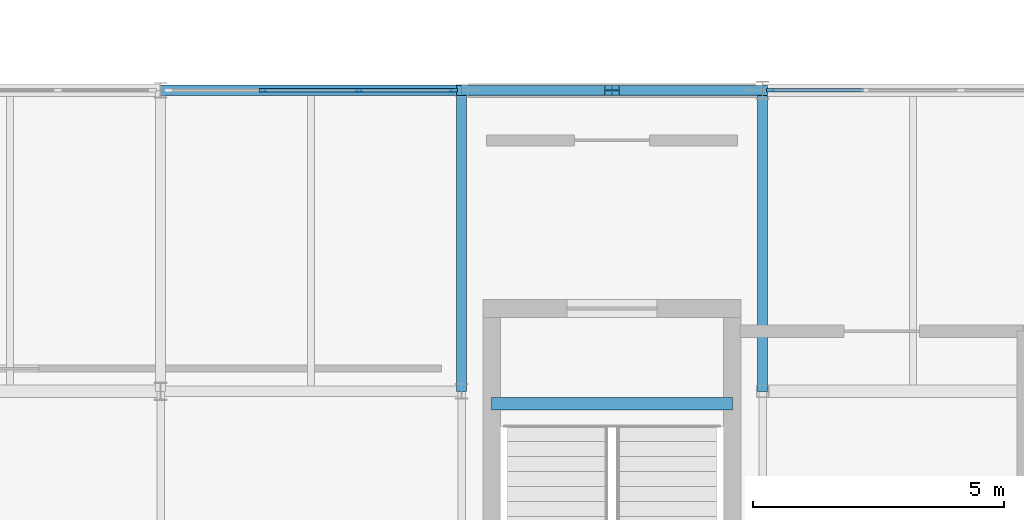
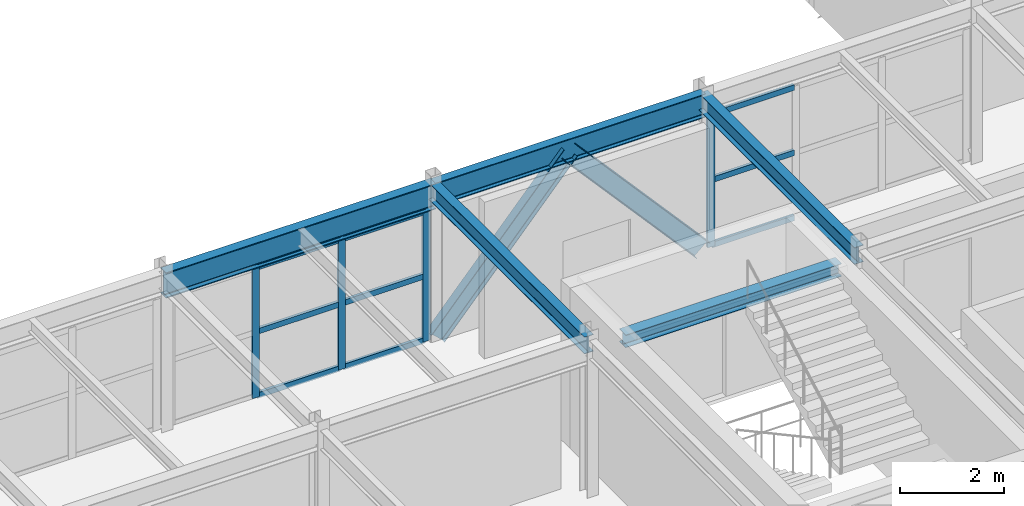
# One storey, part 17 of 63: 15 members, 5 beams, 2 elements without a shape of their own.
"""IFC4 building model written with IfcOpenShell, lengths in metres."""

from ifc_helpers import new_model, si_unit, direction, frame, origin, origin_2d, place, context, subcontext, project, spatial, rectangle, i_section, extrude, material, material_profile, profile_set, type_object, element, aggregate, save


model = new_model("IFC4")

# Units and contexts
model_context = context("Model", 3, precision=1e-05, world=origin(), true_north=direction((0.0, 1.0)))
body_context = subcontext(model_context, "Body", "Model", "MODEL_VIEW")
ifc_project = project(units=[si_unit("LENGTHUNIT", "METRE"), si_unit("AREAUNIT", "SQUARE_METRE"), si_unit("VOLUMEUNIT", "CUBIC_METRE"), si_unit("PLANEANGLEUNIT", "RADIAN"), si_unit("MASSUNIT", "GRAM", prefix="KILO")], contexts=[model_context])

# Site, building, storey
site_placement = place(None, origin())
site = spatial("IfcSite", under=ifc_project, at=site_placement, CompositionType="ELEMENT")
building_placement = place(site_placement, origin())
building = spatial("IfcBuilding", under=site, at=building_placement, Name="Varnakota Square Police Headquarters", CompositionType="ELEMENT")
storey_placement = place(building_placement, frame((0.0, 0.0, 22.199951171875)))
storey = spatial("IfcBuildingStorey", under=building, at=storey_placement, Name="L05", CompositionType="ELEMENT", Elevation=22.199951171875)

# Beams
ifc_material_1 = material(Name="Steel IS 2062 Grade 350", Category="steel")
ifc_material_profile_1 = material_profile(ifc_material_1, i_section(OverallWidth=0.25, OverallDepth=0.300048828125, WebThickness=0.009521484375, FlangeThickness=0.010498046875, FilletRadius=0.011962890625, at=origin_2d()), Name="ISHB 300")
ifc_profile_set_1 = profile_set([ifc_material_profile_1], Name="Steel IS 2062 Grade 350")
beam_type_1 = type_object("IfcBeamType", Name="BM-ISHB300", PredefinedType="BEAM", material=ifc_profile_set_1)
beam_1_placement = place(storey_placement, frame((126.60009765625, 8.75, 3.570068359375), z_axis=(1.0, 0.0, 0.0), x_axis=(0.0, 1.0, 0.0)))
element("IfcBeam", 1, at=beam_1_placement, inside=storey, type_object=beam_type_1, Name="Stair landing support beam BM-LND-0013", PredefinedType="BEAM", context=body_context, shape_type="SweptSolid", body=[
    extrude(i_section(OverallWidth=0.25, OverallDepth=0.300048828125, WebThickness=0.009521484375, FlangeThickness=0.010498046875, FilletRadius=0.011962890625, at=origin_2d()), origin(), (0.0, 0.0, 1.0), 4.7998046875),
])
ifc_material_profile_2 = material_profile(ifc_material_1, i_section(OverallWidth=0.18994140625, OverallDepth=0.550048828125, WebThickness=0.01123046875, FlangeThickness=0.019287109375, FilletRadius=0.01806640625, at=origin_2d()), Name="ISMB 550")
ifc_profile_set_2 = profile_set([ifc_material_profile_2], Name="Steel IS 2062 Grade 350")
beam_type_2 = type_object("IfcBeamType", Name="BM-ISMB550", PredefinedType="BEAM", material=ifc_profile_set_2)
beam_2_placement = place(storey_placement, frame((126.0, 15.0, 3.4150390625), z_axis=(1.0, 0.0, 0.0), x_axis=(0.0, 1.0, 0.0)))
element("IfcBeam", 2, at=beam_2_placement, inside=storey, type_object=beam_type_2, Name="BMG-L05-3091", PredefinedType="BEAM", context=body_context, shape_type="SweptSolid", body=[
    extrude(i_section(OverallWidth=0.18994140625, OverallDepth=0.550048828125, WebThickness=0.01123046875, FlangeThickness=0.019287109375, FilletRadius=0.01806640625, at=origin_2d()), origin(), (0.0, 0.0, 1.0), 6.0),
])
ifc_material_profile_3 = material_profile(ifc_material_1, i_section(OverallWidth=0.2099609375, OverallDepth=0.60009765625, WebThickness=0.011962890625, FlangeThickness=0.020751953125, FilletRadius=0.02001953125, at=origin_2d()), Name="ISMB 600")
ifc_profile_set_3 = profile_set([ifc_material_profile_3], Name="Steel IS 2062 Grade 350")
beam_type_3 = type_object("IfcBeamType", Name="BM-ISMB600", PredefinedType="BEAM", material=ifc_profile_set_3)
beam_3_placement = place(storey_placement, frame((120.0, 15.0, 3.39013671875), z_axis=(1.0, 0.0, 0.0), x_axis=(0.0, 1.0, 0.0)))
element("IfcBeam", 3, at=beam_3_placement, inside=storey, type_object=beam_type_3, Name="BMG-L05-3090", PredefinedType="BEAM", context=body_context, shape_type="SweptSolid", body=[
    extrude(i_section(OverallWidth=0.2099609375, OverallDepth=0.60009765625, WebThickness=0.011962890625, FlangeThickness=0.020751953125, FilletRadius=0.02001953125, at=origin_2d()), origin(), (0.0, 0.0, 1.0), 6.0),
])
ifc_material_profile_4 = material_profile(ifc_material_1, i_section(OverallWidth=0.199951171875, OverallDepth=0.39990234375, WebThickness=0.008544921875, FlangeThickness=0.012939453125, FilletRadius=0.012939453125, at=origin_2d()), Name="ISWB 400")
ifc_profile_set_4 = profile_set([ifc_material_profile_4], Name="Steel IS 2062 Grade 350")
beam_type_4 = type_object("IfcBeamType", Name="BM-ISWB400", PredefinedType="BEAM", material=ifc_profile_set_4)
for number, where, z_axis, x_axis, name in (
    (4, (126.0, 9.0, 3.489990234375), (0.0, 1.0, 0.0), (-1.0, 0.0, 0.0), "BMG-L05-3212"),
    (5, (132.0, 9.0, 3.489990234375), (0.0, 1.0, 0.0), (-1.0, 0.0, 0.0), "BMG-L05-3214"),
):
    element("IfcBeam", number, at=place(storey_placement, frame(where, z_axis=z_axis, x_axis=x_axis)), inside=storey, type_object=beam_type_4, Name=name, PredefinedType="BEAM", context=body_context, shape_type="SweptSolid", body=[
        extrude(i_section(OverallWidth=0.199951171875, OverallDepth=0.39990234375, WebThickness=0.008544921875, FlangeThickness=0.012939453125, FilletRadius=0.012939453125, at=origin_2d()), origin(), (0.0, 0.0, 1.0), 6.0),
    ])

# Curtain wall, members
ifc_material_2 = material(Name="Anodised Aluminium Framing", Category="aluminium")
curtain_wall_type = type_object("IfcCurtainWallType", Name="CW-SYS-D", PredefinedType="NOTDEFINED", material=ifc_material_2)
curtain_wall_1_placement = place(storey_placement, origin())
curtain_wall_1 = element("IfcCurtainWall", 6, at=curtain_wall_1_placement, inside=storey, type_object=curtain_wall_type, Name="Unitised curtain wall CWG-L05-104", PredefinedType="NOTDEFINED")
ifc_material_3 = material(Name="Anodised Aluminium 6063-T6", Category="aluminium")
ifc_material_profile_5 = material_profile(ifc_material_3, rectangle(XDim=0.06494140625, YDim=0.159912109375, at=origin_2d()), Name="ALU MULLION 65x160")
ifc_profile_set_5 = profile_set([ifc_material_profile_5], Name="Anodised Aluminium 6063-T6")
member_type_1 = type_object("IfcMemberType", Name="CWM-150", PredefinedType="MULLION", material=ifc_profile_set_5)
member_1_placement = place(storey_placement, frame((122.043212890625, 15.0, 0.0), z_axis=(0.0, 0.0, 1.0), x_axis=(0.0, 1.0, 0.0)))
member_1 = element("IfcMember", 7, at=member_1_placement, type_object=member_type_1, Name="CWG-L05-104 mullion 2", PredefinedType="MULLION", context=body_context, shape_type="SweptSolid", body=[
    extrude(rectangle(XDim=0.06494140625, YDim=0.159912109375, at=origin_2d()), origin(), (0.0, 0.0, 1.0), 3.080078125),
])
member_2_placement = place(storey_placement, frame((123.956787109375, 15.0, 0.0), z_axis=(0.0, 0.0, 1.0), x_axis=(0.0, 1.0, 0.0)))
member_2 = element("IfcMember", 8, at=member_2_placement, type_object=member_type_1, Name="CWG-L05-104 mullion 3", PredefinedType="MULLION", context=body_context, shape_type="SweptSolid", body=[
    extrude(rectangle(XDim=0.06494140625, YDim=0.159912109375, at=origin_2d()), origin(), (0.0, 0.0, 1.0), 3.080078125),
])
member_3_placement = place(storey_placement, frame((125.83740234375, 15.0, 0.0), z_axis=(0.0, 0.0, 1.0), x_axis=(0.0, 1.0, 0.0)))
member_3 = element("IfcMember", 9, at=member_3_placement, type_object=member_type_1, Name="CWG-L05-104 mullion 4", PredefinedType="MULLION", context=body_context, shape_type="SweptSolid", body=[
    extrude(rectangle(XDim=0.06494140625, YDim=0.159912109375, at=origin_2d()), origin(), (0.0, 0.0, 1.0), 3.080078125),
])

# Curtain wall, member
curtain_wall_2_placement = place(storey_placement, origin())
curtain_wall_2 = element("IfcCurtainWall", 10, at=curtain_wall_2_placement, inside=storey, type_object=curtain_wall_type, Name="Unitised curtain wall CWG-L05-105", PredefinedType="NOTDEFINED")
member_4_placement = place(storey_placement, frame((132.16259765625, 15.0, 0.0), z_axis=(0.0, 0.0, 1.0), x_axis=(0.0, 1.0, 0.0)))
member_4 = element("IfcMember", 11, at=member_4_placement, type_object=member_type_1, Name="CWG-L05-105 mullion 1", PredefinedType="MULLION", context=body_context, shape_type="SweptSolid", body=[
    extrude(rectangle(XDim=0.06494140625, YDim=0.159912109375, at=origin_2d()), origin(), (0.0, 0.0, 1.0), 3.130126953125),
])

# Member
ifc_material_profile_6 = material_profile(ifc_material_3, rectangle(XDim=0.06494140625, YDim=0.1298828125, at=origin_2d()), Name="ALU TRANSOM 65x130")
ifc_profile_set_6 = profile_set([ifc_material_profile_6], Name="Anodised Aluminium 6063-T6")
member_type_2 = type_object("IfcMemberType", Name="CWT-120", PredefinedType="USERDEFINED", material=ifc_profile_set_6)
member_5_placement = place(storey_placement, frame((122.075927734375, 15.0, 0.032470703125), z_axis=(1.0, 0.0, 0.0), x_axis=(0.0, 1.0, 0.0)))
member_5 = element("IfcMember", 12, at=member_5_placement, type_object=member_type_2, Name="CWG-L05-104 transom 2.1", ObjectType="TRANSOM", PredefinedType="USERDEFINED", context=body_context, shape_type="SweptSolid", body=[
    extrude(rectangle(XDim=0.06494140625, YDim=0.1298828125, at=origin_2d()), origin(), (0.0, 0.0, 1.0), 1.84814453125),
])

member_6_placement = place(storey_placement, frame((122.075927734375, 15.0, 1.5400390625), z_axis=(1.0, 0.0, 0.0), x_axis=(0.0, 1.0, 0.0)))
member_6 = element("IfcMember", 13, at=member_6_placement, type_object=member_type_2, Name="CWG-L05-104 transom 2.2", ObjectType="TRANSOM", PredefinedType="USERDEFINED", context=body_context, shape_type="SweptSolid", body=[
    extrude(rectangle(XDim=0.06494140625, YDim=0.1298828125, at=origin_2d()), origin(), (0.0, 0.0, 1.0), 1.84814453125),
])

member_7_placement = place(storey_placement, frame((122.075927734375, 15.0, 3.047607421875), z_axis=(1.0, 0.0, 0.0), x_axis=(0.0, 1.0, 0.0)))
member_7 = element("IfcMember", 14, at=member_7_placement, type_object=member_type_2, Name="CWG-L05-104 transom 2.3", ObjectType="TRANSOM", PredefinedType="USERDEFINED", context=body_context, shape_type="SweptSolid", body=[
    extrude(rectangle(XDim=0.06494140625, YDim=0.1298828125, at=origin_2d()), origin(), (0.0, 0.0, 1.0), 1.84814453125),
])

member_8_placement = place(storey_placement, frame((123.9892578125, 15.0, 0.032470703125), z_axis=(1.0, 0.0, 0.0), x_axis=(0.0, 1.0, 0.0)))
member_8 = element("IfcMember", 15, at=member_8_placement, type_object=member_type_2, Name="CWG-L05-104 transom 3.1", ObjectType="TRANSOM", PredefinedType="USERDEFINED", context=body_context, shape_type="SweptSolid", body=[
    extrude(rectangle(XDim=0.06494140625, YDim=0.1298828125, at=origin_2d()), origin(), (0.0, 0.0, 1.0), 1.815673828125),
])

member_9_placement = place(storey_placement, frame((123.9892578125, 15.0, 1.5400390625), z_axis=(1.0, 0.0, 0.0), x_axis=(0.0, 1.0, 0.0)))
member_9 = element("IfcMember", 16, at=member_9_placement, type_object=member_type_2, Name="CWG-L05-104 transom 3.2", ObjectType="TRANSOM", PredefinedType="USERDEFINED", context=body_context, shape_type="SweptSolid", body=[
    extrude(rectangle(XDim=0.06494140625, YDim=0.1298828125, at=origin_2d()), origin(), (0.0, 0.0, 1.0), 1.815673828125),
])

member_10_placement = place(storey_placement, frame((123.9892578125, 15.0, 3.047607421875), z_axis=(1.0, 0.0, 0.0), x_axis=(0.0, 1.0, 0.0)))
member_10 = element("IfcMember", 17, at=member_10_placement, type_object=member_type_2, Name="CWG-L05-104 transom 3.3", ObjectType="TRANSOM", PredefinedType="USERDEFINED", context=body_context, shape_type="SweptSolid", body=[
    extrude(rectangle(XDim=0.06494140625, YDim=0.1298828125, at=origin_2d()), origin(), (0.0, 0.0, 1.0), 1.815673828125),
])

aggregate(curtain_wall_1, [member_1, member_2, member_3, member_5, member_6, member_7, member_8, member_9, member_10])

member_11_placement = place(storey_placement, frame((132.195068359375, 15.0, 0.032470703125), z_axis=(1.0, 0.0, 0.0), x_axis=(0.0, 1.0, 0.0)))
member_11 = element("IfcMember", 18, at=member_11_placement, type_object=member_type_2, Name="CWG-L05-105 transom 1.1", ObjectType="TRANSOM", PredefinedType="USERDEFINED", context=body_context, shape_type="SweptSolid", body=[
    extrude(rectangle(XDim=0.06494140625, YDim=0.1298828125, at=origin_2d()), origin(), (0.0, 0.0, 1.0), 1.815673828125),
])

member_12_placement = place(storey_placement, frame((132.195068359375, 15.0, 1.56494140625), z_axis=(1.0, 0.0, 0.0), x_axis=(0.0, 1.0, 0.0)))
member_12 = element("IfcMember", 19, at=member_12_placement, type_object=member_type_2, Name="CWG-L05-105 transom 1.2", ObjectType="TRANSOM", PredefinedType="USERDEFINED", context=body_context, shape_type="SweptSolid", body=[
    extrude(rectangle(XDim=0.06494140625, YDim=0.1298828125, at=origin_2d()), origin(), (0.0, 0.0, 1.0), 1.815673828125),
])

member_13_placement = place(storey_placement, frame((132.195068359375, 15.0, 3.09765625), z_axis=(1.0, 0.0, 0.0), x_axis=(0.0, 1.0, 0.0)))
member_13 = element("IfcMember", 20, at=member_13_placement, type_object=member_type_2, Name="CWG-L05-105 transom 1.3", ObjectType="TRANSOM", PredefinedType="USERDEFINED", context=body_context, shape_type="SweptSolid", body=[
    extrude(rectangle(XDim=0.06494140625, YDim=0.1298828125, at=origin_2d()), origin(), (0.0, 0.0, 1.0), 1.815673828125),
])

aggregate(curtain_wall_2, [member_4, member_11, member_12, member_13])

# Members
ifc_material_profile_7 = material_profile(ifc_material_1, i_section(OverallWidth=0.199951171875, OverallDepth=0.39990234375, WebThickness=0.008544921875, FlangeThickness=0.012939453125, FilletRadius=0.012939453125, at=origin_2d()), Name="ISWB 400")
ifc_profile_set_7 = profile_set([ifc_material_profile_7], Name="Steel IS 2062 Grade 350")
member_type_3 = type_object("IfcMemberType", Name="MEM-BR-ISWB400", PredefinedType="BRACE", material=ifc_profile_set_7)
for number, where, z_axis, x_axis, name in (
    (21, (126.050048828125, 15.0, 0.02001953125), (0.663092355777, 0.0, 0.748537592717), (0.0, 1.0, 0.0), "Lateral brace BF1 L05 left"),
    (22, (131.949951171875, 15.0, 0.02001953125), (-0.663092355777, 0.0, 0.748537592717), (0.0, -1.0, 0.0), "Lateral brace BF1 L05 right"),
):
    element("IfcMember", number, at=place(storey_placement, frame(where, z_axis=z_axis, x_axis=x_axis)), inside=storey, type_object=member_type_3, Name=name, PredefinedType="BRACE", context=body_context, shape_type="SweptSolid", body=[
        extrude(i_section(OverallWidth=0.199951171875, OverallDepth=0.39990234375, WebThickness=0.008544921875, FlangeThickness=0.012939453125, FilletRadius=0.012939453125, at=origin_2d()), origin(), (0.0, 0.0, 1.0), 4.44873046875),
    ])

save(model, "model.ifc")
